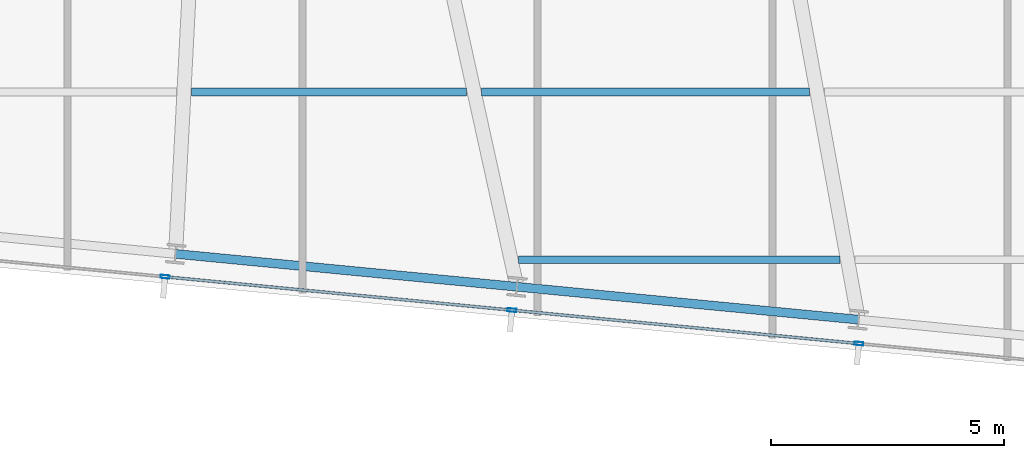
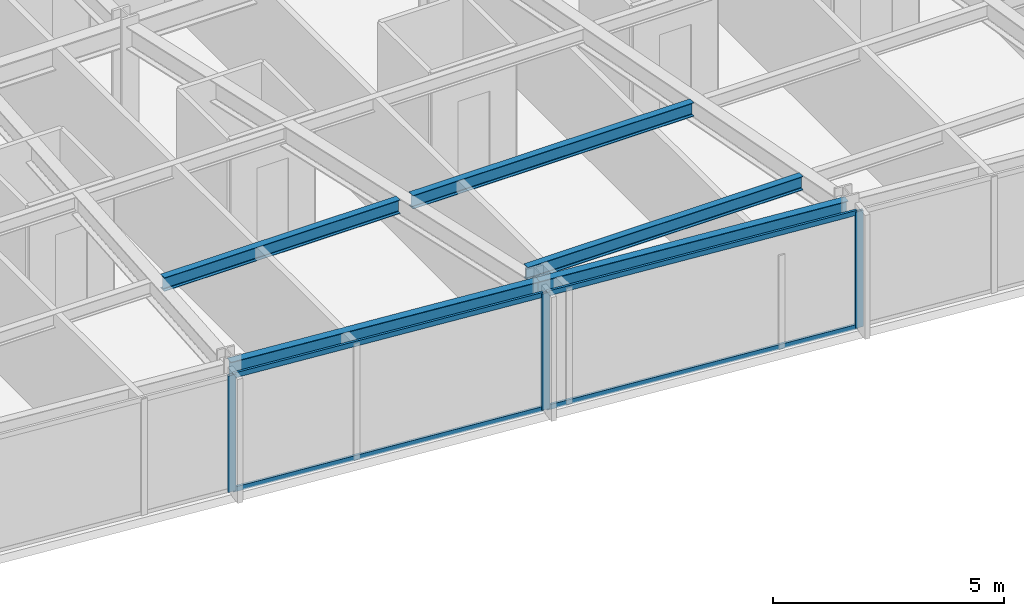
# One storey, part 6 of 38: 7 members, 5 beams, 1 element without a shape of its own.
"""IFC4 building model written with IfcOpenShell, lengths in metres."""

import ifcopenshell
import ifcopenshell.guid

model = None  # the IFC model being written
_history = None  # IfcOwnerHistory: only IFC2X3 demands one
_inside = {}  # id of a spatial element -> (the spatial element, [elements in it])
_under = {}  # id of a project, library or spatial element -> (it, [spatial elements below it])
_declared = {}  # id of a project -> (the project, [libraries it declares])
_typed = {}  # id of a type object -> (the type object, [elements of that type])
_made_of = {}  # id of a material, layer set ... -> (it, [elements and type objects made of it])


def new_model(schema):
    """Start an empty IFC model of exactly this schema.

    Asked for "IFC4X3", IfcOpenShell would pick the latest addendum, in which some entities
    have other attributes; the version numbers below select the first issue.
    IFC2X3 requires an IfcOwnerHistory on every rooted entity: one is made here for all.
    """
    global model, _history
    if schema == "IFC4X3":
        model = ifcopenshell.file(schema_version=(4, 3, 0, 0))
    else:
        model = ifcopenshell.file(schema=schema)
    _inside.clear()
    _under.clear()
    _declared.clear()
    _typed.clear()
    _made_of.clear()
    _history = None
    if model.schema == "IFC2X3":
        org = make("IfcOrganization", Name="unknown")
        user = make(
            "IfcPersonAndOrganization",
            ThePerson=make("IfcPerson", FamilyName="unknown"),
            TheOrganization=org,
        )
        app = make(
            "IfcApplication",
            ApplicationDeveloper=org,
            Version="unknown",
            ApplicationFullName="unknown",
            ApplicationIdentifier="unknown",
        )
        _history = make(
            "IfcOwnerHistory",
            OwningUser=user,
            OwningApplication=app,
            ChangeAction="ADDED",
            CreationDate=0,
        )
    return model


def make(cls, **values):
    """One entity of the class cls with the attributes given. An attribute that is None is left unset."""
    return model.create_entity(
        cls, **{name: value for name, value in values.items() if value is not None}
    )


def rooted(cls, **values):
    """An entity with a GlobalId (a new one), such as an element, a storey or a relation."""
    return make(cls, GlobalId=ifcopenshell.guid.new(), OwnerHistory=_history, **values)


def si_unit(unit_type, name, prefix=None):
    """IfcSIUnit, for example si_unit("LENGTHUNIT", "METRE", prefix="MILLI")."""
    return make("IfcSIUnit", UnitType=unit_type, Prefix=prefix, Name=name)


def assignment(units):
    """IfcUnitAssignment: the units of a project."""
    return None if units is None else make("IfcUnitAssignment", Units=units)


def point(xyz):
    """IfcCartesianPoint."""
    return None if xyz is None else make("IfcCartesianPoint", Coordinates=xyz)


def direction(xyz):
    """IfcDirection."""
    return None if xyz is None else make("IfcDirection", DirectionRatios=xyz)


def frame(location, z_axis=None, x_axis=None):
    """IfcAxis2Placement3D, a coordinate frame: its origin and axes. An axis left out is left unset."""
    return make(
        "IfcAxis2Placement3D",
        Location=point(location),
        Axis=direction(z_axis),
        RefDirection=direction(x_axis),
    )


def frame_2d(location, x_axis=None):
    """IfcAxis2Placement2D, a coordinate frame in the plane: its origin and x axis."""
    return make(
        "IfcAxis2Placement2D", Location=point(location), RefDirection=direction(x_axis)
    )


def origin():
    """The frame at (0, 0, 0) with its axes left unset."""
    return frame((0.0, 0.0, 0.0))


def origin_2d():
    """The frame at (0, 0) in the plane with its x axis left unset."""
    return frame_2d((0.0, 0.0))


def place(relative_to, where):
    """IfcLocalPlacement: puts the frame where relative to a parent placement (None: the world)."""
    return make(
        "IfcLocalPlacement", PlacementRelTo=relative_to, RelativePlacement=where
    )


def context(
    kind, dimensions, precision=None, world=None, true_north=None, identifier=None
):
    """IfcGeometricRepresentationContext, for example the 3D "Model" context."""
    return make(
        "IfcGeometricRepresentationContext",
        ContextIdentifier=identifier,
        ContextType=kind,
        CoordinateSpaceDimension=dimensions,
        Precision=precision,
        WorldCoordinateSystem=world,
        TrueNorth=true_north,
    )


def subcontext(parent, identifier, kind, view, scale=None):
    """IfcGeometricRepresentationSubContext, for example "Body" below "Model"."""
    return make(
        "IfcGeometricRepresentationSubContext",
        ContextIdentifier=identifier,
        ContextType=kind,
        ParentContext=parent,
        TargetScale=scale,
        TargetView=view,
    )


def project(units=None, contexts=None):
    """IfcProject with its units and contexts."""
    return rooted(
        "IfcProject",
        Name="project",
        RepresentationContexts=contexts,
        UnitsInContext=assignment(units),
    )


def spatial(cls, under=None, at=None, **own):
    """A site, building, storey or space (cls), placed at a placement, below another one or the project."""
    s = rooted(cls, ObjectPlacement=at, **own)
    if under is not None:
        _under.setdefault(under.id(), (under, []))[1].append(s)
    return s


def profile(cls, at=None, kind="AREA", **sizes):
    """A parametric profile (cls). Its sizes go by their IFC names, for example OverallWidth=200.0."""
    return make(cls, ProfileType=kind, Position=at, **sizes)


def hollow_rectangle(**sizes):
    """IfcRectangleHollowProfileDef."""
    return profile("IfcRectangleHollowProfileDef", **sizes)


def i_section(**sizes):
    """IfcIShapeProfileDef."""
    return profile("IfcIShapeProfileDef", **sizes)


def extrude(swept, where, along, depth):
    """IfcExtrudedAreaSolid: the profile swept, set in the frame where, extruded along a direction by depth."""
    return make(
        "IfcExtrudedAreaSolid",
        SweptArea=swept,
        Position=where,
        ExtrudedDirection=direction(along),
        Depth=depth,
    )


def shape(context_of_items, identifier, shape_type, items):
    """IfcShapeRepresentation: the items that make up one representation, for example the "Body"."""
    return make(
        "IfcShapeRepresentation",
        ContextOfItems=context_of_items,
        RepresentationIdentifier=identifier,
        RepresentationType=shape_type,
        Items=items,
    )


def material(Name=None, Category=None):
    """IfcMaterial."""
    return make("IfcMaterial", Name=Name, Category=Category)


def material_profile(
    of_material, cross_section, Name=None, Category=None, Priority=None
):
    """IfcMaterialProfile: a cross section and its material."""
    return make(
        "IfcMaterialProfile",
        Name=Name,
        Material=of_material,
        Profile=cross_section,
        Priority=Priority,
        Category=Category,
    )


def profile_set(profiles, Name=None, composite=None):
    """IfcMaterialProfileSet."""
    return make(
        "IfcMaterialProfileSet",
        Name=Name,
        MaterialProfiles=profiles,
        CompositeProfile=composite,
    )


def made_of(thing, what):
    """Note that an element or type object is made of a material, layer set ...; save() writes the relation."""
    if what is not None:
        _made_of.setdefault(what.id(), (what, []))[1].append(thing)
    return thing


def type_object(cls, material=None, **own):
    """A type object (cls), such as IfcWallType, which elements share."""
    return made_of(rooted(cls, **own), material)


def element(
    cls,
    number,
    at=None,
    inside=None,
    cuts=None,
    type_object=None,
    material=None,
    context=None,
    identifier="Body",
    shape_type=None,
    held_by="IfcProductDefinitionShape",
    body=None,
    shapes=None,
    **own,
):
    """One element of the class cls, such as IfcWall. Its Tag is "e" and its number.

    at: its placement. inside: the storey or other place that contains it. cuts: it is an
    opening in that element (IfcRelVoidsElement). A single representation is given by context,
    identifier, shape_type and body (its items); several are given by shapes. held_by: the class
    of the entity that holds the representations. save() writes the other relations.
    """
    e = rooted(cls, Tag="e%d" % number, ObjectPlacement=at, **own)
    if body is not None:
        shapes = [shape(context, identifier, shape_type, body)]
    if shapes is not None:
        e.Representation = make(held_by, Representations=shapes)
    if inside is not None:
        _inside.setdefault(inside.id(), (inside, []))[1].append(e)
    if cuts is not None:
        rooted(
            "IfcRelVoidsElement", RelatingBuildingElement=cuts, RelatedOpeningElement=e
        )
    if type_object is not None:
        _typed.setdefault(type_object.id(), (type_object, []))[1].append(e)
    return made_of(e, material)


def aggregate(whole, parts):
    """IfcRelAggregates: a whole, such as a stair, and the parts it consists of."""
    return rooted("IfcRelAggregates", RelatingObject=whole, RelatedObjects=parts)


def save(model, path):
    """Write the relations noted so far, then the file.

    IfcRelAggregates (storeys below a building ...), IfcRelContainedInSpatialStructure (elements
    in a storey), IfcRelDefinesByType, IfcRelAssociatesMaterial and IfcRelDeclares: one each for
    every whole, place, type object, material and project.
    """
    for whole, parts in _under.values():
        aggregate(whole, parts)
    for where, things in _inside.values():
        rooted(
            "IfcRelContainedInSpatialStructure",
            RelatedElements=things,
            RelatingStructure=where,
        )
    for kind, things in _typed.values():
        rooted("IfcRelDefinesByType", RelatedObjects=things, RelatingType=kind)
    for what, things in _made_of.values():
        rooted("IfcRelAssociatesMaterial", RelatedObjects=things, RelatingMaterial=what)
    for by, libraries in _declared.values():
        rooted("IfcRelDeclares", RelatingContext=by, RelatedDefinitions=libraries)
    model.write(path)


model = new_model("IFC4")

# Units and contexts
model_context = context("Model", 3, precision=1e-05, world=origin(), true_north=direction((0.0, 1.0)))
body_context = subcontext(model_context, "Body", "Model", "MODEL_VIEW")
ifc_project = project(units=[si_unit("LENGTHUNIT", "METRE"), si_unit("AREAUNIT", "SQUARE_METRE"), si_unit("VOLUMEUNIT", "CUBIC_METRE"), si_unit("PLANEANGLEUNIT", "RADIAN"), si_unit("MASSUNIT", "GRAM", prefix="KILO")], contexts=[model_context])

# Site, building, storey
site_placement = place(None, origin())
site = spatial("IfcSite", under=ifc_project, at=site_placement, CompositionType="ELEMENT")
building_placement = place(site_placement, origin())
building = spatial("IfcBuilding", under=site, at=building_placement, Name="Yelkora Congress Tower", CompositionType="ELEMENT")
storey_placement = place(building_placement, frame((0.0, 0.0, 178.699951171875)))
storey = spatial("IfcBuildingStorey", under=building, at=storey_placement, Name="L49", CompositionType="ELEMENT", Elevation=178.699951171875)

# Beams
ifc_material_1 = material(Name="Steel S355J2", Category="steel")
ifc_material_profile_1 = material_profile(ifc_material_1, i_section(OverallWidth=0.169921875, OverallDepth=0.360107421875, WebThickness=0.008056640625, FlangeThickness=0.0126953125, FilletRadius=0.01806640625, at=origin_2d()), Name="IPE 360")
ifc_profile_set_1 = profile_set([ifc_material_profile_1], Name="Steel S355J2")
beam_type_1 = type_object("IfcBeamType", Name="BM-JOIST-IPE360", PredefinedType="JOIST", material=ifc_profile_set_1)
beam_1_placement = place(storey_placement, frame((25.921630859375, 12.8212890625, 2.900146484375), z_axis=(1.0, 0.0, 0.0), x_axis=(0.0, 1.0, 0.0)))
element("IfcBeam", 1, at=beam_1_placement, inside=storey, type_object=beam_type_1, Name="L49 Composite Floor Joist 1", PredefinedType="JOIST", context=body_context, shape_type="SweptSolid", body=[
    extrude(i_section(OverallWidth=0.169921875, OverallDepth=0.360107421875, WebThickness=0.008056640625, FlangeThickness=0.0126953125, FilletRadius=0.01806640625, at=origin_2d()), origin(), (0.0, 0.0, 1.0), 6.896484375),
])
beam_2_placement = place(storey_placement, frame((18.905517578125, 16.421142578125, 2.900146484375), z_axis=(1.0, 0.0, 0.0), x_axis=(0.0, 1.0, 0.0)))
element("IfcBeam", 2, at=beam_2_placement, inside=storey, type_object=beam_type_1, Name="L49 Composite Floor Joist 7", PredefinedType="JOIST", context=body_context, shape_type="SweptSolid", body=[
    extrude(i_section(OverallWidth=0.169921875, OverallDepth=0.360107421875, WebThickness=0.008056640625, FlangeThickness=0.0126953125, FilletRadius=0.01806640625, at=origin_2d()), origin(), (0.0, 0.0, 1.0), 5.904541015625),
])
beam_3_placement = place(storey_placement, frame((25.130126953125, 16.421142578125, 2.900146484375), z_axis=(1.0, 0.0, 0.0), x_axis=(0.0, 1.0, 0.0)))
element("IfcBeam", 3, at=beam_3_placement, inside=storey, type_object=beam_type_1, Name="L49 Composite Floor Joist 8", PredefinedType="JOIST", context=body_context, shape_type="SweptSolid", body=[
    extrude(i_section(OverallWidth=0.169921875, OverallDepth=0.360107421875, WebThickness=0.008056640625, FlangeThickness=0.0126953125, FilletRadius=0.01806640625, at=origin_2d()), origin(), (0.0, 0.0, 1.0), 7.03125),
])
ifc_material_profile_2 = material_profile(ifc_material_1, i_section(OverallWidth=0.18994140625, OverallDepth=0.449951171875, WebThickness=0.009521484375, FlangeThickness=0.0146484375, FilletRadius=0.02099609375, at=origin_2d()), Name="IPE 450")
ifc_profile_set_2 = profile_set([ifc_material_profile_2], Name="Steel S355J2")
beam_type_2 = type_object("IfcBeamType", Name="BM-SPAN-IPE450", PredefinedType="SPANDREL", material=ifc_profile_set_2)
beam_4_placement = place(storey_placement, frame((18.56591796875, 12.947021484375, 2.85498046875), z_axis=(0.99539363353, -0.09587238564, 0.0), x_axis=(0.09587238564, 0.99539363353, 0.0)))
element("IfcBeam", 4, at=beam_4_placement, inside=storey, type_object=beam_type_2, Name="L49 Perimeter Beam 4", PredefinedType="SPANDREL", context=body_context, shape_type="SweptSolid", body=[
    extrude(i_section(OverallWidth=0.18994140625, OverallDepth=0.449951171875, WebThickness=0.009521484375, FlangeThickness=0.0146484375, FilletRadius=0.02099609375, at=origin_2d()), origin(), (0.0, 0.0, 1.0), 7.35693359375),
])
beam_5_placement = place(storey_placement, frame((25.888916015625, 12.24169921875, 2.85498046875), z_axis=(0.995397409467, -0.095833173935, 0.0), x_axis=(0.095833173935, 0.995397409467, 0.0)))
element("IfcBeam", 5, at=beam_5_placement, inside=storey, type_object=beam_type_2, Name="L49 Perimeter Beam 5", PredefinedType="SPANDREL", context=body_context, shape_type="SweptSolid", body=[
    extrude(i_section(OverallWidth=0.18994140625, OverallDepth=0.449951171875, WebThickness=0.009521484375, FlangeThickness=0.0146484375, FilletRadius=0.02099609375, at=origin_2d()), origin(), (0.0, 0.0, 1.0), 7.357421875),
])

# Curtain wall, members
ifc_material_2 = material(Name="Anodised aluminium and insulated glass", Category="aluminium")
curtain_wall_type = type_object("IfcCurtainWallType", Name="CW-SYS-B3", PredefinedType="NOTDEFINED", material=ifc_material_2)
curtain_wall_placement = place(storey_placement, origin())
curtain_wall = element("IfcCurtainWall", 6, at=curtain_wall_placement, inside=storey, type_object=curtain_wall_type, Name="L49 Unitised Curtain Wall 20", PredefinedType="NOTDEFINED")
ifc_material_3 = material(Name="Anodised aluminium 6063-T6", Category="aluminium")
ifc_material_profile_3 = material_profile(ifc_material_3, hollow_rectangle(XDim=0.070068359375, YDim=0.18994140625, WallThickness=0.00390625, at=origin_2d()), Name="ALU 70x190x4")
ifc_profile_set_3 = profile_set([ifc_material_profile_3], Name="Anodised aluminium 6063-T6")
member_type_1 = type_object("IfcMemberType", Name="MEM-ML-B3", PredefinedType="MULLION", material=ifc_profile_set_3)
member_1_placement = place(storey_placement, frame((33.2216796875, 11.0234375, 0.0), z_axis=(0.0, 0.0, 1.0), x_axis=(-0.095844680679, -0.995396301573, 0.0)))
member_1 = element("IfcMember", 7, at=member_1_placement, type_object=member_type_1, Name="CW-B3 mullion 4", PredefinedType="MULLION", context=body_context, shape_type="SweptSolid", body=[
    extrude(hollow_rectangle(XDim=0.070068359375, YDim=0.18994140625, WallThickness=0.00390625, at=origin_2d()), origin(), (0.0, 0.0, 1.0), 3.080078125),
])
member_2_placement = place(storey_placement, frame((25.78173828125, 11.73974609375, 0.0), z_axis=(0.0, 0.0, 1.0), x_axis=(-0.095844680679, -0.995396301573, 0.0)))
member_2 = element("IfcMember", 8, at=member_2_placement, type_object=member_type_1, Name="CW-B3 mullion 5", PredefinedType="MULLION", context=body_context, shape_type="SweptSolid", body=[
    extrude(hollow_rectangle(XDim=0.070068359375, YDim=0.18994140625, WallThickness=0.00390625, at=origin_2d()), origin(), (0.0, 0.0, 1.0), 3.080078125),
])
member_3_placement = place(storey_placement, frame((18.342041015625, 12.4560546875, 0.0), z_axis=(0.0, 0.0, 1.0), x_axis=(-0.095844680679, -0.995396301573, 0.0)))
member_3 = element("IfcMember", 9, at=member_3_placement, type_object=member_type_1, Name="CW-B3 mullion 6", PredefinedType="MULLION", context=body_context, shape_type="SweptSolid", body=[
    extrude(hollow_rectangle(XDim=0.070068359375, YDim=0.18994140625, WallThickness=0.00390625, at=origin_2d()), origin(), (0.0, 0.0, 1.0), 3.080078125),
])
ifc_material_profile_4 = material_profile(ifc_material_3, hollow_rectangle(XDim=0.06005859375, YDim=0.1298828125, WallThickness=0.00390625, at=origin_2d()), Name="ALU 60x130x4")
ifc_profile_set_4 = profile_set([ifc_material_profile_4], Name="Anodised aluminium 6063-T6")
member_type_2 = type_object("IfcMemberType", Name="MEM-TR-B3", PredefinedType="USERDEFINED", material=ifc_profile_set_4)
member_4_placement = place(storey_placement, frame((33.18701171875, 11.02685546875, 0.030029296875), z_axis=(-0.995398934959, 0.095817327669, 0.0), x_axis=(-0.095817327669, -0.995398934959, 0.0)))
member_4 = element("IfcMember", 10, at=member_4_placement, type_object=member_type_2, Name="CW-B3 transom 4.1", ObjectType="TRANSOM", PredefinedType="USERDEFINED", context=body_context, shape_type="SweptSolid", body=[
    extrude(hollow_rectangle(XDim=0.06005859375, YDim=0.1298828125, WallThickness=0.00390625, at=origin_2d()), origin(), (0.0, 0.0, 1.0), 7.404541015625),
])
member_5_placement = place(storey_placement, frame((33.18701171875, 11.02685546875, 3.050048828125), z_axis=(-0.995398934959, 0.095817327669, 0.0), x_axis=(-0.095817327669, -0.995398934959, 0.0)))
member_5 = element("IfcMember", 11, at=member_5_placement, type_object=member_type_2, Name="CW-B3 transom 4.2", ObjectType="TRANSOM", PredefinedType="USERDEFINED", context=body_context, shape_type="SweptSolid", body=[
    extrude(hollow_rectangle(XDim=0.06005859375, YDim=0.1298828125, WallThickness=0.00390625, at=origin_2d()), origin(), (0.0, 0.0, 1.0), 7.404541015625),
])
member_6_placement = place(storey_placement, frame((25.7470703125, 11.7431640625, 0.030029296875), z_axis=(-0.995395789658, 0.095849997036, 0.0), x_axis=(-0.095849997036, -0.995395789658, 0.0)))
member_6 = element("IfcMember", 12, at=member_6_placement, type_object=member_type_2, Name="CW-B3 transom 5.1", ObjectType="TRANSOM", PredefinedType="USERDEFINED", context=body_context, shape_type="SweptSolid", body=[
    extrude(hollow_rectangle(XDim=0.06005859375, YDim=0.1298828125, WallThickness=0.00390625, at=origin_2d()), origin(), (0.0, 0.0, 1.0), 7.404541015625),
])
member_7_placement = place(storey_placement, frame((25.7470703125, 11.7431640625, 3.050048828125), z_axis=(-0.995395789658, 0.095849997036, 0.0), x_axis=(-0.095849997036, -0.995395789658, 0.0)))
member_7 = element("IfcMember", 13, at=member_7_placement, type_object=member_type_2, Name="CW-B3 transom 5.2", ObjectType="TRANSOM", PredefinedType="USERDEFINED", context=body_context, shape_type="SweptSolid", body=[
    extrude(hollow_rectangle(XDim=0.06005859375, YDim=0.1298828125, WallThickness=0.00390625, at=origin_2d()), origin(), (0.0, 0.0, 1.0), 7.404541015625),
])
aggregate(curtain_wall, [member_1, member_2, member_3, member_4, member_5, member_6, member_7])

save(model, "model.ifc")
